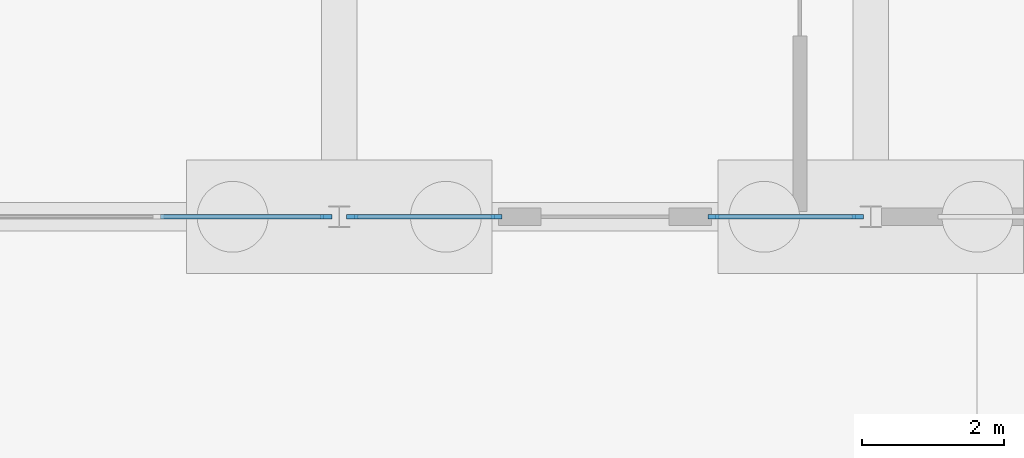
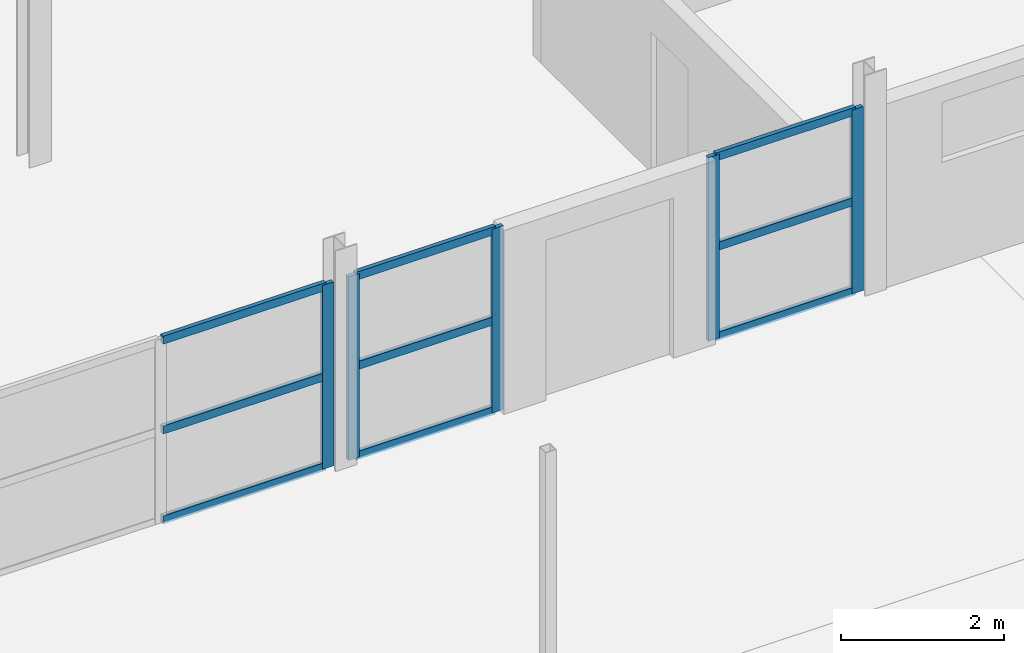
# One storey, part 46 of 130: 14 members, 3 elements without a shape of their own.
"""IFC4 building model written with IfcOpenShell, lengths in metres."""

from ifc_helpers import new_model, si_unit, direction, frame, origin, origin_2d, place, context, subcontext, project, spatial, rectangle, extrude, material, material_profile, profile_set, type_object, element, aggregate, save


model = new_model("IFC4")

# Units and contexts
model_context = context("Model", 3, precision=1e-05, world=origin(), true_north=direction((0.0, 1.0)))
body_context = subcontext(model_context, "Body", "Model", "MODEL_VIEW")
ifc_project = project(units=[si_unit("LENGTHUNIT", "METRE"), si_unit("AREAUNIT", "SQUARE_METRE"), si_unit("VOLUMEUNIT", "CUBIC_METRE"), si_unit("PLANEANGLEUNIT", "RADIAN"), si_unit("MASSUNIT", "GRAM", prefix="KILO")], contexts=[model_context])

# Site, building, storey
site_placement = place(None, origin())
site = spatial("IfcSite", under=ifc_project, at=site_placement, CompositionType="ELEMENT")
building_placement = place(site_placement, origin())
building = spatial("IfcBuilding", under=site, at=building_placement, Name="Parallax Yard Mobility Hub", CompositionType="ELEMENT")
storey_placement = place(building_placement, origin())
storey = spatial("IfcBuildingStorey", under=building, at=storey_placement, Name="L00", CompositionType="ELEMENT", Elevation=0.0)

# Curtain wall, member
ifc_material_1 = material(Name="Thermally broken aluminium curtain wall system", Category="aluminium")
curtain_wall_type = type_object("IfcCurtainWallType", Name="Curtain wall run 60 x 160 frame", PredefinedType="NOTDEFINED", material=ifc_material_1)
curtain_wall_1_placement = place(storey_placement, origin())
curtain_wall_1 = element("IfcCurtainWall", 1, at=curtain_wall_1_placement, inside=storey, type_object=curtain_wall_type, Name="Curtain wall run Mobility service centre and workshops south bay 3 level L00", PredefinedType="NOTDEFINED")
ifc_material_2 = material(Name="Extruded aluminium", Category="aluminium")
ifc_material_profile_1 = material_profile(ifc_material_2, rectangle(XDim=0.06005859375, YDim=0.159912109375, at=origin_2d()), Name="Mullion 60 x 160")
ifc_profile_set_1 = profile_set([ifc_material_profile_1], Name="Extruded aluminium")
member_type_1 = type_object("IfcMemberType", Name="Mullion 60 x 160", PredefinedType="MULLION", material=ifc_profile_set_1)
member_1_placement = place(storey_placement, frame((119.81640625, 7.5, 0.0), z_axis=(0.0, 0.0, 1.0), x_axis=(0.0, 1.0, 0.0)))
member_1 = element("IfcMember", 2, at=member_1_placement, type_object=member_type_1, Name="CW1 mullion 4", PredefinedType="MULLION", context=body_context, shape_type="SweptSolid", body=[
    extrude(rectangle(XDim=0.06005859375, YDim=0.159912109375, at=origin_2d()), origin(), (0.0, 0.0, 1.0), 2.7509765625),
])

# Curtain wall, members
curtain_wall_2_placement = place(storey_placement, origin())
curtain_wall_2 = element("IfcCurtainWall", 3, at=curtain_wall_2_placement, inside=storey, type_object=curtain_wall_type, Name="Curtain wall run Mobility service centre and workshops south bay 4 level L00", PredefinedType="NOTDEFINED")
member_2_placement = place(storey_placement, frame((120.18359375, 7.5, 0.0), z_axis=(0.0, 0.0, 1.0), x_axis=(0.0, 1.0, 0.0)))
member_2 = element("IfcMember", 4, at=member_2_placement, type_object=member_type_1, Name="CW1 mullion 1", PredefinedType="MULLION", context=body_context, shape_type="SweptSolid", body=[
    extrude(rectangle(XDim=0.06005859375, YDim=0.159912109375, at=origin_2d()), origin(), (0.0, 0.0, 1.0), 2.7509765625),
])
member_3_placement = place(storey_placement, frame((122.219970703125, 7.5, 0.0), z_axis=(0.0, 0.0, 1.0), x_axis=(0.0, 1.0, 0.0)))
member_3 = element("IfcMember", 5, at=member_3_placement, type_object=member_type_1, Name="CW1 mullion 2", PredefinedType="MULLION", context=body_context, shape_type="SweptSolid", body=[
    extrude(rectangle(XDim=0.06005859375, YDim=0.159912109375, at=origin_2d()), origin(), (0.0, 0.0, 1.0), 2.7509765625),
])

curtain_wall_3_placement = place(storey_placement, origin())
curtain_wall_3 = element("IfcCurtainWall", 6, at=curtain_wall_3_placement, inside=storey, type_object=curtain_wall_type, Name="Curtain wall run Mobility service centre and workshops south bay 4 level L00", PredefinedType="NOTDEFINED")
member_4_placement = place(storey_placement, frame((125.280029296875, 7.5, 0.0), z_axis=(0.0, 0.0, 1.0), x_axis=(0.0, 1.0, 0.0)))
member_4 = element("IfcMember", 7, at=member_4_placement, type_object=member_type_1, Name="CW1 mullion 1", PredefinedType="MULLION", context=body_context, shape_type="SweptSolid", body=[
    extrude(rectangle(XDim=0.06005859375, YDim=0.159912109375, at=origin_2d()), origin(), (0.0, 0.0, 1.0), 2.7509765625),
])
member_5_placement = place(storey_placement, frame((127.31640625, 7.5, 0.0), z_axis=(0.0, 0.0, 1.0), x_axis=(0.0, 1.0, 0.0)))
member_5 = element("IfcMember", 8, at=member_5_placement, type_object=member_type_1, Name="CW1 mullion 2", PredefinedType="MULLION", context=body_context, shape_type="SweptSolid", body=[
    extrude(rectangle(XDim=0.06005859375, YDim=0.159912109375, at=origin_2d()), origin(), (0.0, 0.0, 1.0), 2.7509765625),
])

# Member
ifc_material_profile_2 = material_profile(ifc_material_2, rectangle(XDim=0.06005859375, YDim=0.1201171875, at=origin_2d()), Name="Transom 60 x 120")
ifc_profile_set_2 = profile_set([ifc_material_profile_2], Name="Extruded aluminium")
member_type_2 = type_object("IfcMemberType", Name="Transom 60 x 120", PredefinedType="USERDEFINED", material=ifc_profile_set_2)
member_6_placement = place(storey_placement, frame((117.478759765625, 7.5, 0.030029296875), z_axis=(1.0, 0.0, 0.0), x_axis=(0.0, 1.0, 0.0)))
member_6 = element("IfcMember", 9, at=member_6_placement, type_object=member_type_2, Name="CW1 transom 3.1", ObjectType="TRANSOM", PredefinedType="USERDEFINED", context=body_context, shape_type="SweptSolid", body=[
    extrude(rectangle(XDim=0.06005859375, YDim=0.1201171875, at=origin_2d()), origin(), (0.0, 0.0, 1.0), 2.307861328125),
])

member_7_placement = place(storey_placement, frame((117.478759765625, 7.5, 1.37548828125), z_axis=(1.0, 0.0, 0.0), x_axis=(0.0, 1.0, 0.0)))
member_7 = element("IfcMember", 10, at=member_7_placement, type_object=member_type_2, Name="CW1 transom 3.2", ObjectType="TRANSOM", PredefinedType="USERDEFINED", context=body_context, shape_type="SweptSolid", body=[
    extrude(rectangle(XDim=0.06005859375, YDim=0.1201171875, at=origin_2d()), origin(), (0.0, 0.0, 1.0), 2.307861328125),
])

member_8_placement = place(storey_placement, frame((117.478759765625, 7.5, 2.720947265625), z_axis=(1.0, 0.0, 0.0), x_axis=(0.0, 1.0, 0.0)))
member_8 = element("IfcMember", 11, at=member_8_placement, type_object=member_type_2, Name="CW1 transom 3.3", ObjectType="TRANSOM", PredefinedType="USERDEFINED", context=body_context, shape_type="SweptSolid", body=[
    extrude(rectangle(XDim=0.06005859375, YDim=0.1201171875, at=origin_2d()), origin(), (0.0, 0.0, 1.0), 2.307861328125),
])

aggregate(curtain_wall_1, [member_1, member_6, member_7, member_8])

member_9_placement = place(storey_placement, frame((120.21337890625, 7.5, 0.030029296875), z_axis=(1.0, 0.0, 0.0), x_axis=(0.0, 1.0, 0.0)))
member_9 = element("IfcMember", 12, at=member_9_placement, type_object=member_type_2, Name="CW1 transom 1.1", ObjectType="TRANSOM", PredefinedType="USERDEFINED", context=body_context, shape_type="SweptSolid", body=[
    extrude(rectangle(XDim=0.06005859375, YDim=0.1201171875, at=origin_2d()), origin(), (0.0, 0.0, 1.0), 1.9765625),
])

member_10_placement = place(storey_placement, frame((120.21337890625, 7.5, 1.37548828125), z_axis=(1.0, 0.0, 0.0), x_axis=(0.0, 1.0, 0.0)))
member_10 = element("IfcMember", 13, at=member_10_placement, type_object=member_type_2, Name="CW1 transom 1.2", ObjectType="TRANSOM", PredefinedType="USERDEFINED", context=body_context, shape_type="SweptSolid", body=[
    extrude(rectangle(XDim=0.06005859375, YDim=0.1201171875, at=origin_2d()), origin(), (0.0, 0.0, 1.0), 1.9765625),
])

member_11_placement = place(storey_placement, frame((120.21337890625, 7.5, 2.720947265625), z_axis=(1.0, 0.0, 0.0), x_axis=(0.0, 1.0, 0.0)))
member_11 = element("IfcMember", 14, at=member_11_placement, type_object=member_type_2, Name="CW1 transom 1.3", ObjectType="TRANSOM", PredefinedType="USERDEFINED", context=body_context, shape_type="SweptSolid", body=[
    extrude(rectangle(XDim=0.06005859375, YDim=0.1201171875, at=origin_2d()), origin(), (0.0, 0.0, 1.0), 1.9765625),
])

aggregate(curtain_wall_2, [member_2, member_3, member_9, member_10, member_11])

member_12_placement = place(storey_placement, frame((125.31005859375, 7.5, 0.030029296875), z_axis=(1.0, 0.0, 0.0), x_axis=(0.0, 1.0, 0.0)))
member_12 = element("IfcMember", 15, at=member_12_placement, type_object=member_type_2, Name="CW1 transom 1.1", ObjectType="TRANSOM", PredefinedType="USERDEFINED", context=body_context, shape_type="SweptSolid", body=[
    extrude(rectangle(XDim=0.06005859375, YDim=0.1201171875, at=origin_2d()), origin(), (0.0, 0.0, 1.0), 1.9765625),
])

member_13_placement = place(storey_placement, frame((125.31005859375, 7.5, 1.37548828125), z_axis=(1.0, 0.0, 0.0), x_axis=(0.0, 1.0, 0.0)))
member_13 = element("IfcMember", 16, at=member_13_placement, type_object=member_type_2, Name="CW1 transom 1.2", ObjectType="TRANSOM", PredefinedType="USERDEFINED", context=body_context, shape_type="SweptSolid", body=[
    extrude(rectangle(XDim=0.06005859375, YDim=0.1201171875, at=origin_2d()), origin(), (0.0, 0.0, 1.0), 1.9765625),
])

member_14_placement = place(storey_placement, frame((125.31005859375, 7.5, 2.720947265625), z_axis=(1.0, 0.0, 0.0), x_axis=(0.0, 1.0, 0.0)))
member_14 = element("IfcMember", 17, at=member_14_placement, type_object=member_type_2, Name="CW1 transom 1.3", ObjectType="TRANSOM", PredefinedType="USERDEFINED", context=body_context, shape_type="SweptSolid", body=[
    extrude(rectangle(XDim=0.06005859375, YDim=0.1201171875, at=origin_2d()), origin(), (0.0, 0.0, 1.0), 1.9765625),
])

aggregate(curtain_wall_3, [member_4, member_5, member_12, member_13, member_14])

save(model, "model.ifc")
